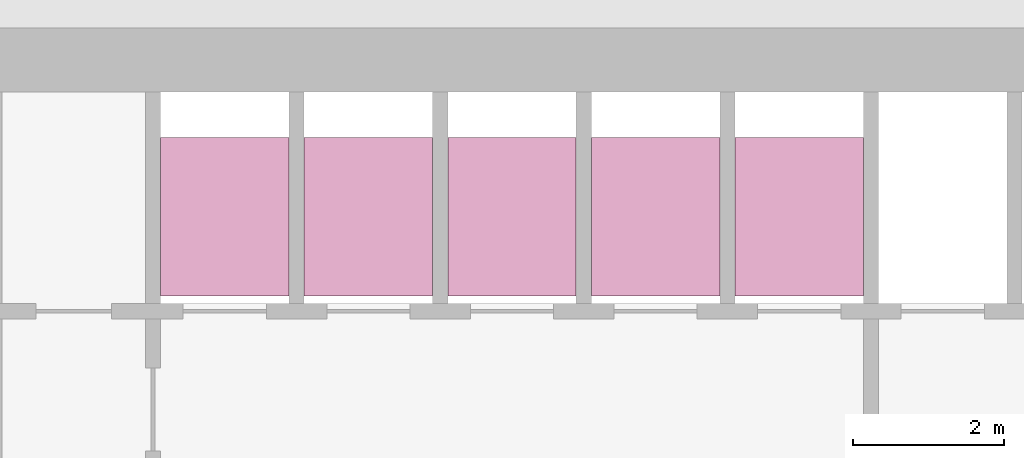
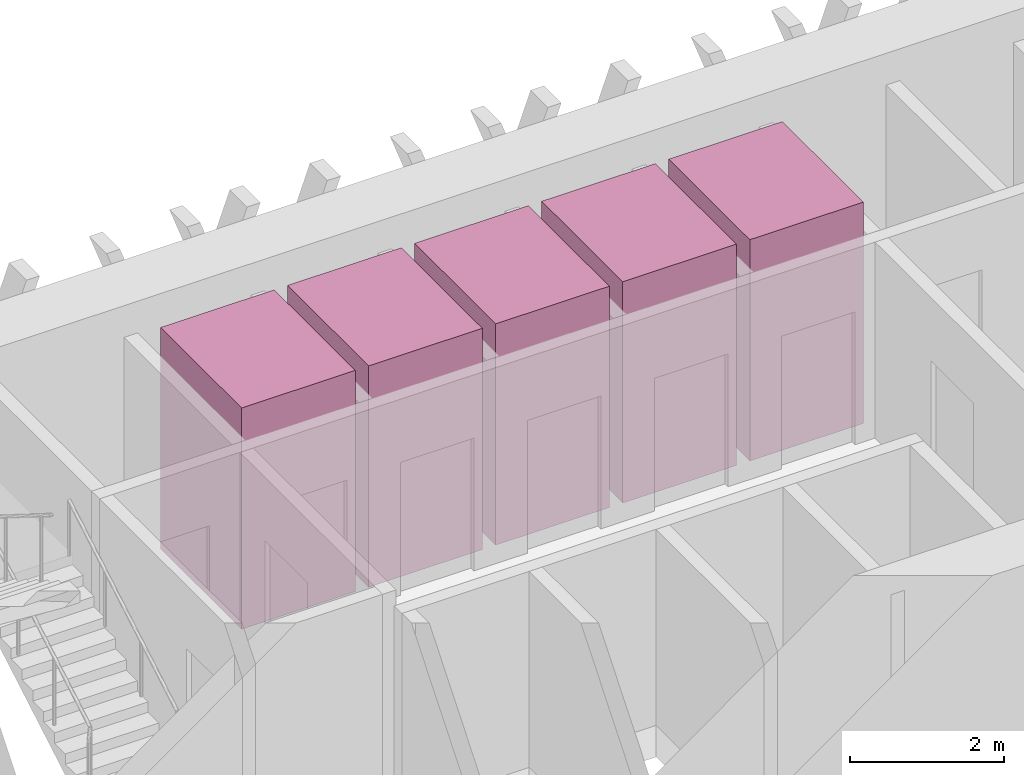
# One storey, part 16 of 16: 5 transport elements.
"""IFC4 building model written with IfcOpenShell, lengths in metres."""

import ifcopenshell
import ifcopenshell.guid

model = None  # the IFC model being written
_history = None  # IfcOwnerHistory: only IFC2X3 demands one
_inside = {}  # id of a spatial element -> (the spatial element, [elements in it])
_under = {}  # id of a project, library or spatial element -> (it, [spatial elements below it])
_declared = {}  # id of a project -> (the project, [libraries it declares])
_typed = {}  # id of a type object -> (the type object, [elements of that type])
_made_of = {}  # id of a material, layer set ... -> (it, [elements and type objects made of it])


def new_model(schema):
    """Start an empty IFC model of exactly this schema.

    Asked for "IFC4X3", IfcOpenShell would pick the latest addendum, in which some entities
    have other attributes; the version numbers below select the first issue.
    IFC2X3 requires an IfcOwnerHistory on every rooted entity: one is made here for all.
    """
    global model, _history
    if schema == "IFC4X3":
        model = ifcopenshell.file(schema_version=(4, 3, 0, 0))
    else:
        model = ifcopenshell.file(schema=schema)
    _inside.clear()
    _under.clear()
    _declared.clear()
    _typed.clear()
    _made_of.clear()
    _history = None
    if model.schema == "IFC2X3":
        org = make("IfcOrganization", Name="unknown")
        user = make(
            "IfcPersonAndOrganization",
            ThePerson=make("IfcPerson", FamilyName="unknown"),
            TheOrganization=org,
        )
        app = make(
            "IfcApplication",
            ApplicationDeveloper=org,
            Version="unknown",
            ApplicationFullName="unknown",
            ApplicationIdentifier="unknown",
        )
        _history = make(
            "IfcOwnerHistory",
            OwningUser=user,
            OwningApplication=app,
            ChangeAction="ADDED",
            CreationDate=0,
        )
    return model


def make(cls, **values):
    """One entity of the class cls with the attributes given. An attribute that is None is left unset."""
    return model.create_entity(
        cls, **{name: value for name, value in values.items() if value is not None}
    )


def rooted(cls, **values):
    """An entity with a GlobalId (a new one), such as an element, a storey or a relation."""
    return make(cls, GlobalId=ifcopenshell.guid.new(), OwnerHistory=_history, **values)


def si_unit(unit_type, name, prefix=None):
    """IfcSIUnit, for example si_unit("LENGTHUNIT", "METRE", prefix="MILLI")."""
    return make("IfcSIUnit", UnitType=unit_type, Prefix=prefix, Name=name)


def assignment(units):
    """IfcUnitAssignment: the units of a project."""
    return None if units is None else make("IfcUnitAssignment", Units=units)


def point(xyz):
    """IfcCartesianPoint."""
    return None if xyz is None else make("IfcCartesianPoint", Coordinates=xyz)


def direction(xyz):
    """IfcDirection."""
    return None if xyz is None else make("IfcDirection", DirectionRatios=xyz)


def frame(location, z_axis=None, x_axis=None):
    """IfcAxis2Placement3D, a coordinate frame: its origin and axes. An axis left out is left unset."""
    return make(
        "IfcAxis2Placement3D",
        Location=point(location),
        Axis=direction(z_axis),
        RefDirection=direction(x_axis),
    )


def frame_2d(location, x_axis=None):
    """IfcAxis2Placement2D, a coordinate frame in the plane: its origin and x axis."""
    return make(
        "IfcAxis2Placement2D", Location=point(location), RefDirection=direction(x_axis)
    )


def origin():
    """The frame at (0, 0, 0) with its axes left unset."""
    return frame((0.0, 0.0, 0.0))


def origin_2d():
    """The frame at (0, 0) in the plane with its x axis left unset."""
    return frame_2d((0.0, 0.0))


def place(relative_to, where):
    """IfcLocalPlacement: puts the frame where relative to a parent placement (None: the world)."""
    return make(
        "IfcLocalPlacement", PlacementRelTo=relative_to, RelativePlacement=where
    )


def context(
    kind, dimensions, precision=None, world=None, true_north=None, identifier=None
):
    """IfcGeometricRepresentationContext, for example the 3D "Model" context."""
    return make(
        "IfcGeometricRepresentationContext",
        ContextIdentifier=identifier,
        ContextType=kind,
        CoordinateSpaceDimension=dimensions,
        Precision=precision,
        WorldCoordinateSystem=world,
        TrueNorth=true_north,
    )


def subcontext(parent, identifier, kind, view, scale=None):
    """IfcGeometricRepresentationSubContext, for example "Body" below "Model"."""
    return make(
        "IfcGeometricRepresentationSubContext",
        ContextIdentifier=identifier,
        ContextType=kind,
        ParentContext=parent,
        TargetScale=scale,
        TargetView=view,
    )


def project(units=None, contexts=None):
    """IfcProject with its units and contexts."""
    return rooted(
        "IfcProject",
        Name="project",
        RepresentationContexts=contexts,
        UnitsInContext=assignment(units),
    )


def spatial(cls, under=None, at=None, **own):
    """A site, building, storey or space (cls), placed at a placement, below another one or the project."""
    s = rooted(cls, ObjectPlacement=at, **own)
    if under is not None:
        _under.setdefault(under.id(), (under, []))[1].append(s)
    return s


def profile(cls, at=None, kind="AREA", **sizes):
    """A parametric profile (cls). Its sizes go by their IFC names, for example OverallWidth=200.0."""
    return make(cls, ProfileType=kind, Position=at, **sizes)


def rectangle(**sizes):
    """IfcRectangleProfileDef."""
    return profile("IfcRectangleProfileDef", **sizes)


def extrude(swept, where, along, depth):
    """IfcExtrudedAreaSolid: the profile swept, set in the frame where, extruded along a direction by depth."""
    return make(
        "IfcExtrudedAreaSolid",
        SweptArea=swept,
        Position=where,
        ExtrudedDirection=direction(along),
        Depth=depth,
    )


def shape(context_of_items, identifier, shape_type, items):
    """IfcShapeRepresentation: the items that make up one representation, for example the "Body"."""
    return make(
        "IfcShapeRepresentation",
        ContextOfItems=context_of_items,
        RepresentationIdentifier=identifier,
        RepresentationType=shape_type,
        Items=items,
    )


def material(Name=None, Category=None):
    """IfcMaterial."""
    return make("IfcMaterial", Name=Name, Category=Category)


def made_of(thing, what):
    """Note that an element or type object is made of a material, layer set ...; save() writes the relation."""
    if what is not None:
        _made_of.setdefault(what.id(), (what, []))[1].append(thing)
    return thing


def type_object(cls, material=None, **own):
    """A type object (cls), such as IfcWallType, which elements share."""
    return made_of(rooted(cls, **own), material)


def element(
    cls,
    number,
    at=None,
    inside=None,
    cuts=None,
    type_object=None,
    material=None,
    context=None,
    identifier="Body",
    shape_type=None,
    held_by="IfcProductDefinitionShape",
    body=None,
    shapes=None,
    **own,
):
    """One element of the class cls, such as IfcWall. Its Tag is "e" and its number.

    at: its placement. inside: the storey or other place that contains it. cuts: it is an
    opening in that element (IfcRelVoidsElement). A single representation is given by context,
    identifier, shape_type and body (its items); several are given by shapes. held_by: the class
    of the entity that holds the representations. save() writes the other relations.
    """
    e = rooted(cls, Tag="e%d" % number, ObjectPlacement=at, **own)
    if body is not None:
        shapes = [shape(context, identifier, shape_type, body)]
    if shapes is not None:
        e.Representation = make(held_by, Representations=shapes)
    if inside is not None:
        _inside.setdefault(inside.id(), (inside, []))[1].append(e)
    if cuts is not None:
        rooted(
            "IfcRelVoidsElement", RelatingBuildingElement=cuts, RelatedOpeningElement=e
        )
    if type_object is not None:
        _typed.setdefault(type_object.id(), (type_object, []))[1].append(e)
    return made_of(e, material)


def aggregate(whole, parts):
    """IfcRelAggregates: a whole, such as a stair, and the parts it consists of."""
    return rooted("IfcRelAggregates", RelatingObject=whole, RelatedObjects=parts)


def save(model, path):
    """Write the relations noted so far, then the file.

    IfcRelAggregates (storeys below a building ...), IfcRelContainedInSpatialStructure (elements
    in a storey), IfcRelDefinesByType, IfcRelAssociatesMaterial and IfcRelDeclares: one each for
    every whole, place, type object, material and project.
    """
    for whole, parts in _under.values():
        aggregate(whole, parts)
    for where, things in _inside.values():
        rooted(
            "IfcRelContainedInSpatialStructure",
            RelatedElements=things,
            RelatingStructure=where,
        )
    for kind, things in _typed.values():
        rooted("IfcRelDefinesByType", RelatedObjects=things, RelatingType=kind)
    for what, things in _made_of.values():
        rooted("IfcRelAssociatesMaterial", RelatedObjects=things, RelatingMaterial=what)
    for by, libraries in _declared.values():
        rooted("IfcRelDeclares", RelatingContext=by, RelatedDefinitions=libraries)
    model.write(path)


model = new_model("IFC4")

# Units and contexts
model_context = context("Model", 3, precision=1e-05, world=origin(), true_north=direction((0.0, 1.0)))
body_context = subcontext(model_context, "Body", "Model", "MODEL_VIEW")
ifc_project = project(units=[si_unit("LENGTHUNIT", "METRE"), si_unit("AREAUNIT", "SQUARE_METRE"), si_unit("VOLUMEUNIT", "CUBIC_METRE"), si_unit("PLANEANGLEUNIT", "RADIAN"), si_unit("MASSUNIT", "GRAM", prefix="KILO")], contexts=[model_context])

# Site, building, storey
site_placement = place(None, origin())
site = spatial("IfcSite", under=ifc_project, at=site_placement, CompositionType="ELEMENT")
building_placement = place(site_placement, origin())
building = spatial("IfcBuilding", under=site, at=building_placement, Name="Altiplano Prism Tower", CompositionType="ELEMENT")
storey_placement = place(building_placement, frame((0.0, 0.0, 81.0)))
storey = spatial("IfcBuildingStorey", under=building, at=storey_placement, Name="L20", CompositionType="ELEMENT", Elevation=81.0)

# Transport elements
ifc_material = material(Name="Stainless steel lift car", Category="steel")
transport_element_type = type_object("IfcTransportElementType", Name="Passenger lift car 1600 x 2100", PredefinedType="ELEVATOR", material=ifc_material)
for number, where, z_axis, x_axis, name in (
    (1, (79.050048828125, 101.75, 0.050048828125), (0.0, 0.0, 1.0), (1.0, 0.0, 0.0), "Low Zone Passenger Lift 1"),
    (2, (80.949951171875, 101.75, 0.050048828125), (0.0, 0.0, 1.0), (1.0, 0.0, 0.0), "Low Zone Passenger Lift 2"),
    (3, (82.85009765625, 101.75, 0.050048828125), (0.0, 0.0, 1.0), (1.0, 0.0, 0.0), "Low Zone Passenger Lift 3"),
    (4, (84.75, 101.75, 0.050048828125), (0.0, 0.0, 1.0), (1.0, 0.0, 0.0), "Low Zone Passenger Lift 4"),
    (5, (86.64990234375, 101.75, 0.050048828125), (0.0, 0.0, 1.0), (1.0, 0.0, 0.0), "Low Zone Passenger Lift 5"),
):
    element("IfcTransportElement", number, at=place(storey_placement, frame(where, z_axis=z_axis, x_axis=x_axis)), inside=storey, type_object=transport_element_type, Name=name, PredefinedType="ELEVATOR", context=body_context, shape_type="SweptSolid", body=[
        extrude(rectangle(XDim=1.699951171875, YDim=2.10009765625, at=origin_2d()), origin(), (0.0, 0.0, 1.0), 3.5),
    ])

save(model, "model.ifc")
